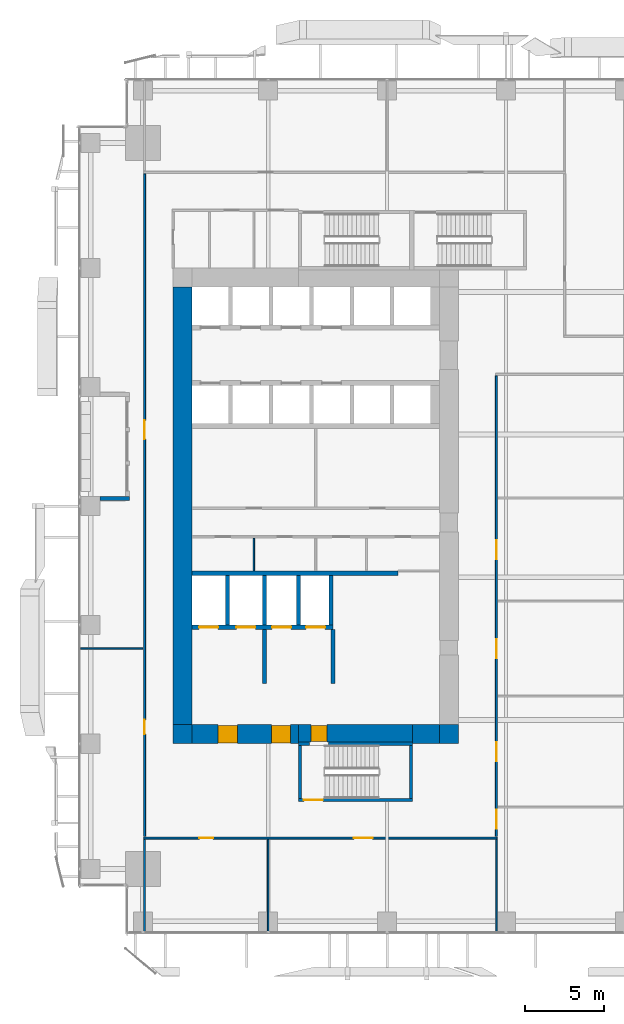
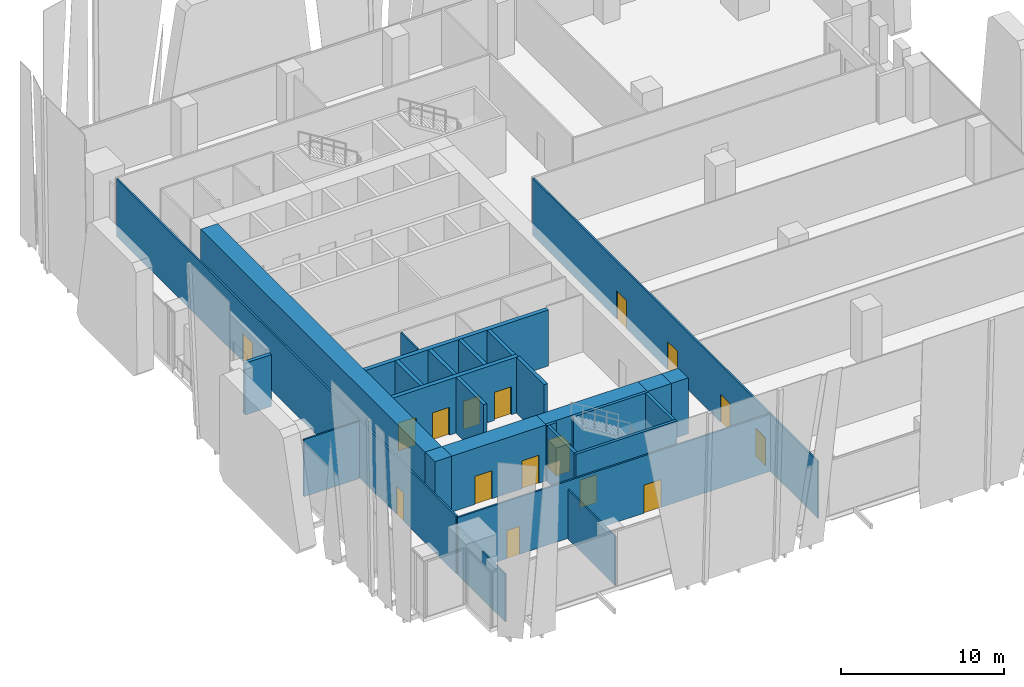
# One storey, part 29 of 37: 28 walls, 16 doors, 16 openings.
"""IFC4 building model written with IfcOpenShell, lengths in metres."""

from ifc_helpers import new_model, si_unit, direction, frame, frame_2d, origin, place, context, subcontext, project, spatial, rectangle, extrude, source, transform, mapped, material, layer, layer_set, type_object, element, fill, save


model = new_model("IFC4")

# Units and contexts
model_context = context("Model", 3, precision=1e-05, world=origin(), true_north=direction((0.0, 1.0)))
body_context = subcontext(model_context, "Body", "Model", "MODEL_VIEW")
ifc_project = project(units=[si_unit("LENGTHUNIT", "METRE"), si_unit("AREAUNIT", "SQUARE_METRE"), si_unit("VOLUMEUNIT", "CUBIC_METRE"), si_unit("PLANEANGLEUNIT", "RADIAN"), si_unit("MASSUNIT", "GRAM", prefix="KILO")], contexts=[model_context])

# Site, building, storey
site_placement = place(None, origin())
site = spatial("IfcSite", under=ifc_project, at=site_placement, CompositionType="ELEMENT")
building_placement = place(site_placement, origin())
building = spatial("IfcBuilding", under=site, at=building_placement, Name="Khomas Fold Tower", CompositionType="ELEMENT")
storey_placement = place(building_placement, frame((0.0, 0.0, 60.0)))
storey = spatial("IfcBuildingStorey", under=building, at=storey_placement, Name="L12", CompositionType="ELEMENT", Elevation=60.0)

# Wall, openings, doors
ifc_material_1 = material(Name="Concrete C70/85", Category="concrete")
ifc_layer_1 = layer(ifc_material_1, 1.199951171875)
ifc_layer_set_1 = layer_set([ifc_layer_1], Name="Concrete C70/85")
wall_type_1 = type_object("IfcWallType", Name="Core wall 1200", PredefinedType="SHEAR", material=ifc_layer_set_1)
shared_shape_1 = source(origin(), body_context, "Body", "SweptSolid", [
    extrude(rectangle(XDim=6.699951171875, YDim=1.199951171875, at=frame_2d((3.35009765625, 0.0))), origin(), (0.0, 0.0, 1.0), 4.199951171875),
])
wall_1_placement = place(storey_placement, frame((7.199951171875, 12.60009765625, 0.0), z_axis=(0.0, 0.0, 1.0), x_axis=(1.0, 0.0, 0.0)))
wall_1 = element("IfcWall", 1, at=wall_1_placement, inside=storey, type_object=wall_type_1, Name="Core wall CW-L-S-B2", PredefinedType="SHEAR", context=body_context, shape_type="MappedRepresentation", body=[
    mapped(shared_shape_1, transform((0.0, 0.0, 0.0))),
])
shared_shape_2 = source(origin(), body_context, "Body", "SweptSolid", [
    extrude(rectangle(XDim=1.199951171875, YDim=2.10009765625, at=frame_2d((0.60009765625, 1.050048828125))), frame((0.0, 0.60986328125, 0.0), z_axis=(0.0, -1.0, 0.0), x_axis=(1.0, 0.0, 0.0)), (0.0, 0.0, 1.0), 1.219970703125),
])
opening_1_placement = place(wall_1_placement, frame((5.0, 0.0, 0.0)))
opening_1 = element("IfcOpeningElement", 2, at=opening_1_placement, cuts=wall_1, Name="Opening 0009", PredefinedType="OPENING", context=body_context, shape_type="MappedRepresentation", body=[
    mapped(shared_shape_2, transform((0.0, 0.0, 0.0))),
])
opening_2_placement = place(wall_1_placement, frame((1.64990234375, 0.0, 0.0)))
opening_2 = element("IfcOpeningElement", 3, at=opening_2_placement, cuts=wall_1, Name="Opening 0009", PredefinedType="OPENING", context=body_context, shape_type="MappedRepresentation", body=[
    mapped(shared_shape_2, transform((0.0, 0.0, 0.0))),
])
ifc_material_2 = material(Name="Steel door leaf", Category="steel")
door_type_1 = type_object("IfcDoorType", Name="Lobby door 1200x2100 right-hand", OperationType="SINGLE_SWING_RIGHT", PredefinedType="DOOR", material=ifc_material_2)
shared_shape_3 = source(origin(), body_context, "Body", "SweptSolid", [
    extrude(rectangle(XDim=1.199951171875, YDim=2.10009765625, at=frame_2d((0.60009765625, 1.050048828125))), frame((0.0, 0.5498046875, 0.0), z_axis=(0.0, -1.0, 0.0), x_axis=(1.0, 0.0, 0.0)), (0.0, 0.0, 1.0), 1.099853515625),
])
door_1_placement = place(opening_1_placement, origin())
door_1 = element("IfcDoor", 4, at=door_1_placement, inside=storey, type_object=door_type_1, Name="Lobby door", OperationType="SINGLE_SWING_RIGHT", OverallHeight=2.10009765625, OverallWidth=1.199951171875, PredefinedType="DOOR", context=body_context, shape_type="MappedRepresentation", body=[
    mapped(shared_shape_3, transform((0.0, 0.0, 0.0))),
])
fill(opening_1, door_1)
door_2_placement = place(opening_2_placement, origin())
door_2 = element("IfcDoor", 5, at=door_2_placement, inside=storey, type_object=door_type_1, Name="Lobby door", OperationType="SINGLE_SWING_RIGHT", OverallHeight=2.10009765625, OverallWidth=1.199951171875, PredefinedType="DOOR", context=body_context, shape_type="MappedRepresentation", body=[
    mapped(shared_shape_3, transform((0.0, 0.0, 0.0))),
])
fill(opening_2, door_2)

# Walls
ifc_material_3 = material(Name="Concrete C70/85", Category="concrete")
ifc_layer_2 = layer(ifc_material_3, 1.199951171875)
ifc_layer_set_2 = layer_set([ifc_layer_2], Name="Concrete C70/85")
wall_type_2 = type_object("IfcWallType", Name="Core corner wall 1200", PredefinedType="SHEAR", material=ifc_layer_set_2)
shared_shape_4 = source(origin(), body_context, "Body", "SweptSolid", [
    extrude(rectangle(XDim=1.199951171875, YDim=1.199951171875, at=frame_2d((0.60009765625, 0.0))), origin(), (0.0, 0.0, 1.0), 4.199951171875),
])
for number, where, z_axis, x_axis, name in (
    (6, (22.800048828125, 12.60009765625, 0.0), (0.0, 0.0, 1.0), (1.0, 0.0, 0.0), "Core wall CW-L-SE-B2"),
    (7, (6.0, 12.60009765625, 0.0), (0.0, 0.0, 1.0), (1.0, 0.0, 0.0), "Core wall CW-L-SW-B2"),
):
    element("IfcWall", number, at=place(storey_placement, frame(where, z_axis=z_axis, x_axis=x_axis)), inside=storey, type_object=wall_type_2, Name=name, PredefinedType="SHEAR", context=body_context, shape_type="MappedRepresentation", body=[
        mapped(shared_shape_4, transform((0.0, 0.0, 0.0))),
    ])

# Wall, opening, door
ifc_material_4 = material(Name="Concrete C70/85", Category="concrete")
ifc_layer_3 = layer(ifc_material_4, 1.10009765625)
ifc_layer_set_3 = layer_set([ifc_layer_3], Name="Concrete C70/85")
wall_type_3 = type_object("IfcWallType", Name="Core wall 1100", PredefinedType="SHEAR", material=ifc_layer_set_3)
shared_shape_5 = source(origin(), body_context, "Body", "SweptSolid", [
    extrude(rectangle(XDim=7.2001953125, YDim=1.10009765625, at=frame_2d((3.60009765625, 0.0))), origin(), (0.0, 0.0, 1.0), 4.199951171875),
])
wall_2_placement = place(storey_placement, frame((13.89990234375, 12.64990234375, 0.0), z_axis=(0.0, 0.0, 1.0), x_axis=(1.0, 0.0, 0.0)))
wall_2 = element("IfcWall", 8, at=wall_2_placement, inside=storey, type_object=wall_type_3, Name="Core wall CW-L-S-B2-1", PredefinedType="SHEAR", context=body_context, shape_type="MappedRepresentation", body=[
    mapped(shared_shape_5, transform((0.0, 0.0, 0.0))),
])
shared_shape_6 = source(origin(), body_context, "Body", "SweptSolid", [
    extrude(rectangle(XDim=1.0, YDim=2.10009765625, at=frame_2d((0.5, 1.050048828125))), frame((0.0, 0.56005859375, 0.0), z_axis=(0.0, -1.0, 0.0), x_axis=(1.0, 0.0, 0.0)), (0.0, 0.0, 1.0), 1.1201171875),
])
opening_3_placement = place(wall_2_placement, frame((0.800048828125, 0.0, 0.0)))
opening_3 = element("IfcOpeningElement", 9, at=opening_3_placement, cuts=wall_2, Name="Opening 0010", PredefinedType="OPENING", context=body_context, shape_type="MappedRepresentation", body=[
    mapped(shared_shape_6, transform((0.0, 0.0, 0.0))),
])
ifc_material_5 = material(Name="Steel door leaf", Category="steel")
door_type_2 = type_object("IfcDoorType", Name="Stair door 1000x2100 right-hand", OperationType="SINGLE_SWING_RIGHT", PredefinedType="DOOR", material=ifc_material_5)
shared_shape_7 = source(origin(), body_context, "Body", "SweptSolid", [
    extrude(rectangle(XDim=1.0, YDim=2.10009765625, at=frame_2d((0.5, 1.050048828125))), frame((0.0, 0.5, 0.0), z_axis=(0.0, -1.0, 0.0), x_axis=(1.0, 0.0, 0.0)), (0.0, 0.0, 1.0), 1.0),
])
door_3_placement = place(opening_3_placement, origin())
door_3 = element("IfcDoor", 10, at=door_3_placement, inside=storey, type_object=door_type_2, Name="Stair door", OperationType="SINGLE_SWING_RIGHT", OverallHeight=2.10009765625, OverallWidth=1.0, PredefinedType="DOOR", context=body_context, shape_type="MappedRepresentation", body=[
    mapped(shared_shape_7, transform((0.0, 0.0, 0.0))),
])
fill(opening_3, door_3)

# Walls
shared_shape_8 = source(origin(), body_context, "Body", "SweptSolid", [
    extrude(rectangle(XDim=1.699951171875, YDim=1.199951171875, at=frame_2d((0.85009765625, 0.0))), origin(), (0.0, 0.0, 1.0), 4.199951171875),
])
wall_3_placement = place(storey_placement, frame((21.10009765625, 12.60009765625, 0.0), z_axis=(0.0, 0.0, 1.0), x_axis=(1.0, 0.0, 0.0)))
element("IfcWall", 11, at=wall_3_placement, inside=storey, type_object=wall_type_1, Name="Core wall CW-L-S-B2-2", PredefinedType="SHEAR", context=body_context, shape_type="MappedRepresentation", body=[
    mapped(shared_shape_8, transform((0.0, 0.0, 0.0))),
])
shared_shape_9 = source(origin(), body_context, "Body", "SweptSolid", [
    extrude(rectangle(XDim=27.60009765625, YDim=1.199951171875, at=frame_2d((13.800048828125, 0.0))), origin(), (0.0, 0.0, 1.0), 4.199951171875),
])
wall_4_placement = place(storey_placement, frame((6.60009765625, 13.199951171875, 0.0), z_axis=(0.0, 0.0, 1.0), x_axis=(0.0, 1.0, 0.0)))
element("IfcWall", 12, at=wall_4_placement, inside=storey, type_object=wall_type_1, Name="Core wall CW-L-W-B2", PredefinedType="SHEAR", context=body_context, shape_type="MappedRepresentation", body=[
    mapped(shared_shape_9, transform((0.0, 0.0, 0.0))),
])
ifc_material_6 = material(Name="Concrete C50/60", Category="concrete")
ifc_layer_4 = layer(ifc_material_6, 0.199951171875)
ifc_layer_set_4 = layer_set([ifc_layer_4], Name="Concrete C50/60")
wall_type_4 = type_object("IfcWallType", Name="Stair wall 200", PredefinedType="SHEAR", material=ifc_layer_set_4)
shared_shape_10 = source(origin(), body_context, "Body", "SweptSolid", [
    extrude(rectangle(XDim=0.7001953125, YDim=0.199951171875, at=frame_2d((0.35009765625, 0.0))), origin(), (0.0, 0.0, 1.0), 4.199951171875),
])
wall_5_placement = place(storey_placement, frame((13.89990234375, 12.0, 0.0), z_axis=(0.0, 0.0, 1.0), x_axis=(1.0, 0.0, 0.0)))
element("IfcWall", 13, at=wall_5_placement, inside=storey, type_object=wall_type_4, Name="Stair wall SW-ST2-N", PredefinedType="SHEAR", context=body_context, shape_type="MappedRepresentation", body=[
    mapped(shared_shape_10, transform((0.0, 0.0, 0.0))),
])
shared_shape_11 = source(origin(), body_context, "Body", "SweptSolid", [
    extrude(rectangle(XDim=5.300048828125, YDim=0.199951171875, at=frame_2d((2.64990234375, 0.0))), origin(), (0.0, 0.0, 1.0), 4.199951171875),
])
wall_6_placement = place(storey_placement, frame((15.800048828125, 12.0, 0.0), z_axis=(0.0, 0.0, 1.0), x_axis=(1.0, 0.0, 0.0)))
element("IfcWall", 14, at=wall_6_placement, inside=storey, type_object=wall_type_4, Name="Stair wall SW-ST2-NB", PredefinedType="SHEAR", context=body_context, shape_type="MappedRepresentation", body=[
    mapped(shared_shape_11, transform((0.0, 0.0, 0.0))),
])

# Wall, opening, door
shared_shape_12 = source(origin(), body_context, "Body", "SweptSolid", [
    extrude(rectangle(XDim=7.2001953125, YDim=0.199951171875, at=frame_2d((3.60009765625, 0.0))), origin(), (0.0, 0.0, 1.0), 4.199951171875),
])
wall_7_placement = place(storey_placement, frame((13.89990234375, 8.449951171875, 0.0), z_axis=(0.0, 0.0, 1.0), x_axis=(1.0, 0.0, 0.0)))
wall_7 = element("IfcWall", 15, at=wall_7_placement, inside=storey, type_object=wall_type_4, Name="Stair wall SW-ST2-S", PredefinedType="SHEAR", context=body_context, shape_type="MappedRepresentation", body=[
    mapped(shared_shape_12, transform((0.0, 0.0, 0.0))),
])
shared_shape_13 = source(origin(), body_context, "Body", "SweptSolid", [
    extrude(rectangle(XDim=1.199951171875, YDim=2.10009765625, at=frame_2d((0.60009765625, 1.050048828125))), frame((0.0, 0.10986328125, 0.0), z_axis=(0.0, -1.0, 0.0), x_axis=(1.0, 0.0, 0.0)), (0.0, 0.0, 1.0), 0.219970703125),
])
opening_4_placement = place(wall_7_placement, frame((0.35009765625, 0.0, 0.0)))
opening_4 = element("IfcOpeningElement", 16, at=opening_4_placement, cuts=wall_7, Name="Opening SD-ST2", PredefinedType="OPENING", context=body_context, shape_type="MappedRepresentation", body=[
    mapped(shared_shape_13, transform((0.0, 0.0, 0.0))),
])
ifc_material_7 = material(Name="Steel door leaf", Category="steel")
door_type_3 = type_object("IfcDoorType", Name="Stair door 1200x2100 right-hand", OperationType="SINGLE_SWING_RIGHT", PredefinedType="DOOR", material=ifc_material_7)
shared_shape_14 = source(origin(), body_context, "Body", "SweptSolid", [
    extrude(rectangle(XDim=1.199951171875, YDim=2.10009765625, at=frame_2d((0.60009765625, 1.050048828125))), frame((0.0, 0.02490234375, 0.0), z_axis=(0.0, -1.0, 0.0), x_axis=(1.0, 0.0, 0.0)), (0.0, 0.0, 1.0), 0.050048828125),
])
door_4_placement = place(opening_4_placement, origin())
door_4 = element("IfcDoor", 17, at=door_4_placement, inside=storey, type_object=door_type_3, Name="Stair door", OperationType="SINGLE_SWING_RIGHT", OverallHeight=2.10009765625, OverallWidth=1.199951171875, PredefinedType="DOOR", context=body_context, shape_type="MappedRepresentation", body=[
    mapped(shared_shape_14, transform((0.0, 0.0, 0.0))),
])
fill(opening_4, door_4)

# Walls
shared_shape_15 = source(origin(), body_context, "Body", "SweptSolid", [
    extrude(rectangle(XDim=3.349853515625, YDim=0.199951171875, at=frame_2d((1.6748046875, 0.0))), origin(), (0.0, 0.0, 1.0), 4.199951171875),
])
for number, where, z_axis, x_axis, name in (
    (18, (21.0, 8.550048828125, 0.0), (0.0, 0.0, 1.0), (0.0, 1.0, 0.0), "Stair wall SW-ST2-E"),
    (19, (14.0, 8.550048828125, 0.0), (0.0, 0.0, 1.0), (0.0, 1.0, 0.0), "Stair wall SW-ST2-W"),
):
    element("IfcWall", number, at=place(storey_placement, frame(where, z_axis=z_axis, x_axis=x_axis)), inside=storey, type_object=wall_type_4, Name=name, PredefinedType="SHEAR", context=body_context, shape_type="MappedRepresentation", body=[
        mapped(shared_shape_15, transform((0.0, 0.0, 0.0))),
    ])
ifc_material_8 = material(Name="Concrete C50/60", Category="concrete")
ifc_layer_5 = layer(ifc_material_8, 0.300048828125)
ifc_layer_set_5 = layer_set([ifc_layer_5], Name="Concrete C50/60")
wall_type_5 = type_object("IfcWallType", Name="Shaft wall 300", PredefinedType="STANDARD", material=ifc_layer_set_5)
shared_shape_16 = source(origin(), body_context, "Body", "SweptSolid", [
    extrude(rectangle(XDim=13.0, YDim=0.300048828125, at=frame_2d((6.5, 0.0))), origin(), (0.0, 0.0, 1.0), 4.199951171875),
])
wall_8_placement = place(storey_placement, frame((7.199951171875, 22.75, 0.0), z_axis=(0.0, 0.0, 1.0), x_axis=(1.0, 0.0, 0.0)))
element("IfcWall", 20, at=wall_8_placement, inside=storey, type_object=wall_type_5, Name="Core wall SW-FS-B", PredefinedType="STANDARD", context=body_context, shape_type="MappedRepresentation", body=[
    mapped(shared_shape_16, transform((0.0, 0.0, 0.0))),
])

# Wall, openings, doors
shared_shape_17 = source(origin(), body_context, "Body", "SweptSolid", [
    extrude(rectangle(XDim=8.875, YDim=0.300048828125, at=frame_2d((4.4375, 0.0))), origin(), (0.0, 0.0, 1.0), 4.199951171875),
])
wall_9_placement = place(storey_placement, frame((7.199951171875, 19.35009765625, 0.0), z_axis=(0.0, 0.0, 1.0), x_axis=(1.0, 0.0, 0.0)))
wall_9 = element("IfcWall", 21, at=wall_9_placement, inside=storey, type_object=wall_type_5, Name="Core wall SW-FS-F", PredefinedType="STANDARD", context=body_context, shape_type="MappedRepresentation", body=[
    mapped(shared_shape_17, transform((0.0, 0.0, 0.0))),
])
shared_shape_18 = source(origin(), body_context, "Body", "SweptSolid", [
    extrude(rectangle(XDim=1.199951171875, YDim=2.10009765625, at=frame_2d((0.60009765625, 1.050048828125))), frame((0.0, 0.159912109375, 0.0), z_axis=(0.0, -1.0, 0.0), x_axis=(1.0, 0.0, 0.0)), (0.0, 0.0, 1.0), 0.320068359375),
])
opening_5_placement = place(wall_9_placement, frame((0.449951171875, 0.0, 0.0)))
opening_5 = element("IfcOpeningElement", 22, at=opening_5_placement, cuts=wall_9, Name="Opening LD-SV1", PredefinedType="OPENING", context=body_context, shape_type="MappedRepresentation", body=[
    mapped(shared_shape_18, transform((0.0, 0.0, 0.0))),
])
opening_6_placement = place(wall_9_placement, frame((2.800048828125, 0.0, 0.0)))
opening_6 = element("IfcOpeningElement", 23, at=opening_6_placement, cuts=wall_9, Name="Opening LD-SV2", PredefinedType="OPENING", context=body_context, shape_type="MappedRepresentation", body=[
    mapped(shared_shape_18, transform((0.0, 0.0, 0.0))),
])
opening_7_placement = place(wall_9_placement, frame((5.050048828125, 0.0, 0.0)))
opening_7 = element("IfcOpeningElement", 24, at=opening_7_placement, cuts=wall_9, Name="Opening LD-FF1", PredefinedType="OPENING", context=body_context, shape_type="MappedRepresentation", body=[
    mapped(shared_shape_18, transform((0.0, 0.0, 0.0))),
])
opening_8_placement = place(wall_9_placement, frame((7.199951171875, 0.0, 0.0)))
opening_8 = element("IfcOpeningElement", 25, at=opening_8_placement, cuts=wall_9, Name="Opening LD-FF2", PredefinedType="OPENING", context=body_context, shape_type="MappedRepresentation", body=[
    mapped(shared_shape_18, transform((0.0, 0.0, 0.0))),
])
ifc_material_9 = material(Name="Steel door leaf", Category="steel")
door_type_4 = type_object("IfcDoorType", Name="Landing door 1200x2100", OperationType="DOUBLE_DOOR_SLIDING", PredefinedType="DOOR", material=ifc_material_9)
door_5_placement = place(opening_5_placement, origin())
door_5 = element("IfcDoor", 26, at=door_5_placement, inside=storey, type_object=door_type_4, Name="Lift landing door", OperationType="DOUBLE_DOOR_SLIDING", OverallHeight=2.10009765625, OverallWidth=1.199951171875, PredefinedType="DOOR", context=body_context, shape_type="MappedRepresentation", body=[
    mapped(shared_shape_14, transform((0.0, 0.0, 0.0))),
])
fill(opening_5, door_5)
door_6_placement = place(opening_6_placement, origin())
door_6 = element("IfcDoor", 27, at=door_6_placement, inside=storey, type_object=door_type_4, Name="Lift landing door", OperationType="DOUBLE_DOOR_SLIDING", OverallHeight=2.10009765625, OverallWidth=1.199951171875, PredefinedType="DOOR", context=body_context, shape_type="MappedRepresentation", body=[
    mapped(shared_shape_14, transform((0.0, 0.0, 0.0))),
])
fill(opening_6, door_6)
door_7_placement = place(opening_7_placement, origin())
door_7 = element("IfcDoor", 28, at=door_7_placement, inside=storey, type_object=door_type_4, Name="Lift landing door", OperationType="DOUBLE_DOOR_SLIDING", OverallHeight=2.10009765625, OverallWidth=1.199951171875, PredefinedType="DOOR", context=body_context, shape_type="MappedRepresentation", body=[
    mapped(shared_shape_14, transform((0.0, 0.0, 0.0))),
])
fill(opening_7, door_7)
door_8_placement = place(opening_8_placement, origin())
door_8 = element("IfcDoor", 29, at=door_8_placement, inside=storey, type_object=door_type_4, Name="Lift landing door", OperationType="DOUBLE_DOOR_SLIDING", OverallHeight=2.10009765625, OverallWidth=1.199951171875, PredefinedType="DOOR", context=body_context, shape_type="MappedRepresentation", body=[
    mapped(shared_shape_14, transform((0.0, 0.0, 0.0))),
])
fill(opening_8, door_8)

# Walls
ifc_material_10 = material(Name="Concrete C50/60", Category="concrete")
ifc_layer_6 = layer(ifc_material_10, 0.25)
ifc_layer_set_6 = layer_set([ifc_layer_6], Name="Concrete C50/60")
wall_type_6 = type_object("IfcWallType", Name="Shaft wall 250", PredefinedType="STANDARD", material=ifc_layer_set_6)
shared_shape_19 = source(origin(), body_context, "Body", "SweptSolid", [
    extrude(rectangle(XDim=3.10009765625, YDim=0.25, at=frame_2d((1.550048828125, 0.0))), origin(), (0.0, 0.0, 1.0), 4.199951171875),
])
for number, where, z_axis, x_axis, name in (
    (30, (9.425048828125, 19.5, 0.0), (0.0, 0.0, 1.0), (0.0, 1.0, 0.0), "Core wall SW-FS-P1"),
    (31, (11.77490234375, 19.5, 0.0), (0.0, 0.0, 1.0), (0.0, 1.0, 0.0), "Core wall SW-FS-P2"),
    (32, (13.925048828125, 19.5, 0.0), (0.0, 0.0, 1.0), (0.0, 1.0, 0.0), "Core wall SW-FS-P3"),
    (33, (15.949951171875, 19.5, 0.0), (0.0, 0.0, 1.0), (0.0, 1.0, 0.0), "Core wall SW-FS-PE"),
):
    element("IfcWall", number, at=place(storey_placement, frame(where, z_axis=z_axis, x_axis=x_axis)), inside=storey, type_object=wall_type_6, Name=name, PredefinedType="STANDARD", context=body_context, shape_type="MappedRepresentation", body=[
        mapped(shared_shape_19, transform((0.0, 0.0, 0.0))),
    ])
ifc_material_11 = material(Name="Concrete C50/60", Category="concrete")
ifc_layer_7 = layer(ifc_material_11, 0.25)
ifc_layer_set_7 = layer_set([ifc_layer_7], Name="Concrete C50/60")
wall_type_7 = type_object("IfcWallType", Name="Lobby wall 250", PredefinedType="STANDARD", material=ifc_layer_set_7)
shared_shape_20 = source(origin(), body_context, "Body", "SweptSolid", [
    extrude(rectangle(XDim=3.39990234375, YDim=0.25, at=frame_2d((1.699951171875, 0.0))), origin(), (0.0, 0.0, 1.0), 4.199951171875),
])
for number, where, z_axis, x_axis, name in (
    (34, (16.074951171875, 15.800048828125, 0.0), (0.0, 0.0, 1.0), (0.0, 1.0, 0.0), "Core wall SW-FS-LOB-E"),
    (35, (11.77490234375, 15.800048828125, 0.0), (0.0, 0.0, 1.0), (0.0, 1.0, 0.0), "Core wall SW-FS-SEP"),
):
    element("IfcWall", number, at=place(storey_placement, frame(where, z_axis=z_axis, x_axis=x_axis)), inside=storey, type_object=wall_type_7, Name=name, PredefinedType="STANDARD", context=body_context, shape_type="MappedRepresentation", body=[
        mapped(shared_shape_20, transform((0.0, 0.0, 0.0))),
    ])
ifc_material_12 = material(Name="Natural stone", Category="masonry")
ifc_layer_8 = layer(ifc_material_12, 0.0400390625)
ifc_material_13 = material(Name="Mineral wool insulation", Category="insulation")
ifc_layer_9 = layer(ifc_material_13, 0.10009765625)
ifc_material_14 = material(Name="Masonry", Category="masonry")
ifc_layer_10 = layer(ifc_material_14, 0.110107421875)
ifc_layer_set_8 = layer_set([ifc_layer_8, ifc_layer_9, ifc_layer_10], Name="Stone-faced insulated masonry")
wall_type_8 = type_object("IfcWallType", Name="BL-Balcony wall", PredefinedType="SOLIDWALL", material=ifc_layer_set_8)
shared_shape_21 = source(origin(), body_context, "Body", "SweptSolid", [
    extrude(rectangle(XDim=1.85009765625, YDim=0.25, at=frame_2d((0.925048828125, 0.0))), origin(), (0.0, 0.0, 1.0), 3.89990234375),
])
wall_10_placement = place(storey_placement, frame((1.39990234375, 27.47509765625, 0.0), z_axis=(0.0, 0.0, 1.0), x_axis=(1.0, 0.0, 0.0)))
element("IfcWall", 36, at=wall_10_placement, inside=storey, type_object=wall_type_8, Name="Balcony return wall BAL-L12-W3-lo", PredefinedType="SOLIDWALL", context=body_context, shape_type="MappedRepresentation", body=[
    mapped(shared_shape_21, transform((0.0, 0.0, 0.0))),
])
ifc_material_15 = material(Name="Plasterboard partition")
ifc_layer_11 = layer(ifc_material_15, 0.10009765625)
ifc_layer_set_9 = layer_set([ifc_layer_11], Name="Plasterboard partition")
wall_type_9 = type_object("IfcWallType", Name="Partition PW1 100", PredefinedType="PARTITIONING", material=ifc_layer_set_9)
shared_shape_22 = source(origin(), body_context, "Body", "SweptSolid", [
    extrude(rectangle(XDim=5.800048828125, YDim=0.10009765625, at=frame_2d((2.89990234375, 0.0))), origin(), (0.0, 0.0, 1.0), 3.60009765625),
])
wall_11_placement = place(storey_placement, frame((4.199951171875, 0.14990234375, 0.0), z_axis=(0.0, 0.0, 1.0), x_axis=(0.0, 1.0, 0.0)))
element("IfcWall", 37, at=wall_11_placement, inside=storey, type_object=wall_type_9, Name="Partition", PredefinedType="PARTITIONING", context=body_context, shape_type="MappedRepresentation", body=[
    mapped(shared_shape_22, transform((0.0, 0.0, 0.0))),
])
shared_shape_23 = source(origin(), body_context, "Body", "SweptSolid", [
    extrude(rectangle(XDim=5.800048828125, YDim=0.10009765625, at=frame_2d((2.89990234375, 0.0))), origin(), (0.0, 0.0, 1.0), 3.699951171875),
])
wall_12_placement = place(storey_placement, frame((12.0, 0.14990234375, 0.0), z_axis=(0.0, 0.0, 1.0), x_axis=(0.0, 1.0, 0.0)))
element("IfcWall", 38, at=wall_12_placement, inside=storey, type_object=wall_type_9, Name="Partition", PredefinedType="PARTITIONING", context=body_context, shape_type="MappedRepresentation", body=[
    mapped(shared_shape_23, transform((0.0, 0.0, 0.0))),
])
shared_shape_24 = source(origin(), body_context, "Body", "SweptSolid", [
    extrude(rectangle(XDim=3.9501953125, YDim=0.10009765625, at=frame_2d((1.97509765625, 0.0))), origin(), (0.0, 0.0, 1.0), 4.300048828125),
])
wall_13_placement = place(storey_placement, frame((0.14990234375, 18.0, 0.0), z_axis=(0.0, 0.0, 1.0), x_axis=(1.0, 0.0, 0.0)))
element("IfcWall", 39, at=wall_13_placement, inside=storey, type_object=wall_type_9, Name="Partition", PredefinedType="PARTITIONING", context=body_context, shape_type="MappedRepresentation", body=[
    mapped(shared_shape_24, transform((0.0, 0.0, 0.0))),
])
shared_shape_25 = source(origin(), body_context, "Body", "SweptSolid", [
    extrude(rectangle(XDim=5.800048828125, YDim=0.10009765625, at=frame_2d((2.89990234375, 0.0))), origin(), (0.0, 0.0, 1.0), 4.300048828125),
])
wall_14_placement = place(storey_placement, frame((26.39990234375, 0.14990234375, 0.0), z_axis=(0.0, 0.0, 1.0), x_axis=(0.0, 1.0, 0.0)))
element("IfcWall", 40, at=wall_14_placement, inside=storey, type_object=wall_type_9, Name="Partition", PredefinedType="PARTITIONING", context=body_context, shape_type="MappedRepresentation", body=[
    mapped(shared_shape_25, transform((0.0, 0.0, 0.0))),
])

# Wall, openings, doors
ifc_material_16 = material(Name="Plasterboard partition")
ifc_layer_12 = layer(ifc_material_16, 0.125)
ifc_layer_set_10 = layer_set([ifc_layer_12], Name="Plasterboard partition")
wall_type_10 = type_object("IfcWallType", Name="Partition PW2 125", PredefinedType="PARTITIONING", material=ifc_layer_set_10)
shared_shape_26 = source(origin(), body_context, "Body", "SweptSolid", [
    extrude(rectangle(XDim=22.300048828125, YDim=0.125, at=frame_2d((11.14990234375, 0.0))), origin(), (0.0, 0.0, 1.0), 4.300048828125),
])
wall_15_placement = place(storey_placement, frame((4.14990234375, 6.050048828125, 0.0), z_axis=(0.0, 0.0, 1.0), x_axis=(1.0, 0.0, 0.0)))
wall_15 = element("IfcWall", 41, at=wall_15_placement, inside=storey, type_object=wall_type_10, Name="Partition", PredefinedType="PARTITIONING", context=body_context, shape_type="MappedRepresentation", body=[
    mapped(shared_shape_26, transform((0.0, 0.0, 0.0))),
])
shared_shape_27 = source(origin(), body_context, "Body", "SweptSolid", [
    extrude(rectangle(XDim=0.89990234375, YDim=2.10009765625, at=frame_2d((0.449951171875, 1.050048828125))), frame((0.0, 0.072509765625, 0.0), z_axis=(0.0, -1.0, 0.0), x_axis=(1.0, 0.0, 0.0)), (0.0, 0.0, 1.0), 0.14501953125),
])
opening_9_placement = place(wall_15_placement, frame((3.5, 0.0, 0.0)))
opening_9 = element("IfcOpeningElement", 42, at=opening_9_placement, cuts=wall_15, Name="Opening 0007", PredefinedType="OPENING", context=body_context, shape_type="MappedRepresentation", body=[
    mapped(shared_shape_27, transform((0.0, 0.0, 0.0))),
])
shared_shape_28 = source(origin(), body_context, "Body", "SweptSolid", [
    extrude(rectangle(XDim=1.199951171875, YDim=2.10009765625, at=frame_2d((0.60009765625, 1.050048828125))), frame((0.0, 0.072509765625, 0.0), z_axis=(0.0, -1.0, 0.0), x_axis=(1.0, 0.0, 0.0)), (0.0, 0.0, 1.0), 0.14501953125),
])
opening_10_placement = place(wall_15_placement, frame((13.25, 0.0, 0.0)))
opening_10 = element("IfcOpeningElement", 43, at=opening_10_placement, cuts=wall_15, Name="Opening 0001", PredefinedType="OPENING", context=body_context, shape_type="MappedRepresentation", body=[
    mapped(shared_shape_28, transform((0.0, 0.0, 0.0))),
])
ifc_material_17 = material(Name="Timber door leaf", Category="wood")
door_type_5 = type_object("IfcDoorType", Name="Door 900x2100 left-hand", OperationType="SINGLE_SWING_LEFT", PredefinedType="DOOR", material=ifc_material_17)
shared_shape_29 = source(origin(), body_context, "Body", "SweptSolid", [
    extrude(rectangle(XDim=0.89990234375, YDim=2.10009765625, at=frame_2d((0.449951171875, 1.050048828125))), frame((0.0, 0.02490234375, 0.0), z_axis=(0.0, -1.0, 0.0), x_axis=(1.0, 0.0, 0.0)), (0.0, 0.0, 1.0), 0.050048828125),
])
door_9_placement = place(opening_9_placement, origin())
door_9 = element("IfcDoor", 44, at=door_9_placement, inside=storey, type_object=door_type_5, Name="Door", OperationType="SINGLE_SWING_LEFT", OverallHeight=2.10009765625, OverallWidth=0.89990234375, PredefinedType="DOOR", context=body_context, shape_type="MappedRepresentation", body=[
    mapped(shared_shape_29, transform((0.0, 0.0, 0.0))),
])
fill(opening_9, door_9)
ifc_material_18 = material(Name="Timber door leaf", Category="wood")
door_type_6 = type_object("IfcDoorType", Name="Door 1200x2100 right-hand", OperationType="SINGLE_SWING_RIGHT", PredefinedType="DOOR", material=ifc_material_18)
door_10_placement = place(opening_10_placement, origin())
door_10 = element("IfcDoor", 45, at=door_10_placement, inside=storey, type_object=door_type_6, Name="Door", OperationType="SINGLE_SWING_RIGHT", OverallHeight=2.10009765625, OverallWidth=1.199951171875, PredefinedType="DOOR", context=body_context, shape_type="MappedRepresentation", body=[
    mapped(shared_shape_14, transform((0.0, 0.0, 0.0))),
])
fill(opening_10, door_10)

shared_shape_30 = source(origin(), body_context, "Body", "SweptSolid", [
    extrude(rectangle(XDim=41.800048828125, YDim=0.125, at=frame_2d((20.89990234375, 0.0))), origin(), (0.0, 0.0, 1.0), 4.300048828125),
])
wall_16_placement = place(storey_placement, frame((4.199951171875, 6.14990234375, 0.0), z_axis=(0.0, 0.0, 1.0), x_axis=(0.0, 1.0, 0.0)))
wall_16 = element("IfcWall", 46, at=wall_16_placement, inside=storey, type_object=wall_type_10, Name="Partition", PredefinedType="PARTITIONING", context=body_context, shape_type="MappedRepresentation", body=[
    mapped(shared_shape_30, transform((0.0, 0.0, 0.0))),
])
opening_11_placement = place(wall_16_placement, frame((6.449951171875, 0.0, 0.0)))
opening_11 = element("IfcOpeningElement", 47, at=opening_11_placement, cuts=wall_16, Name="Opening 0008", PredefinedType="OPENING", context=body_context, shape_type="MappedRepresentation", body=[
    mapped(shared_shape_27, transform((0.0, 0.0, 0.0))),
])
opening_12_placement = place(wall_16_placement, frame((25.050048828125, 0.0, 0.0)))
opening_12 = element("IfcOpeningElement", 48, at=opening_12_placement, cuts=wall_16, Name="Opening 0001", PredefinedType="OPENING", context=body_context, shape_type="MappedRepresentation", body=[
    mapped(shared_shape_28, transform((0.0, 0.0, 0.0))),
])
ifc_material_19 = material(Name="Timber door leaf", Category="wood")
door_type_7 = type_object("IfcDoorType", Name="Door 900x2100 right-hand", OperationType="SINGLE_SWING_RIGHT", PredefinedType="DOOR", material=ifc_material_19)
door_11_placement = place(opening_11_placement, origin())
door_11 = element("IfcDoor", 49, at=door_11_placement, inside=storey, type_object=door_type_7, Name="Door", OperationType="SINGLE_SWING_RIGHT", OverallHeight=2.10009765625, OverallWidth=0.89990234375, PredefinedType="DOOR", context=body_context, shape_type="MappedRepresentation", body=[
    mapped(shared_shape_29, transform((0.0, 0.0, 0.0))),
])
fill(opening_11, door_11)
door_12_placement = place(opening_12_placement, origin())
door_12 = element("IfcDoor", 50, at=door_12_placement, inside=storey, type_object=door_type_6, Name="Door", OperationType="SINGLE_SWING_RIGHT", OverallHeight=2.10009765625, OverallWidth=1.199951171875, PredefinedType="DOOR", context=body_context, shape_type="MappedRepresentation", body=[
    mapped(shared_shape_14, transform((0.0, 0.0, 0.0))),
])
fill(opening_12, door_12)

shared_shape_31 = source(origin(), body_context, "Body", "SweptSolid", [
    extrude(rectangle(XDim=29.050048828125, YDim=0.125, at=frame_2d((14.52490234375, 0.0))), origin(), (0.0, 0.0, 1.0), 4.300048828125),
])
wall_17_placement = place(storey_placement, frame((26.39990234375, 6.14990234375, 0.0), z_axis=(0.0, 0.0, 1.0), x_axis=(0.0, 1.0, 0.0)))
wall_17 = element("IfcWall", 51, at=wall_17_placement, inside=storey, type_object=wall_type_10, Name="Partition", PredefinedType="PARTITIONING", context=body_context, shape_type="MappedRepresentation", body=[
    mapped(shared_shape_31, transform((0.0, 0.0, 0.0))),
])
opening_13_placement = place(wall_17_placement, frame((0.5, 0.0, 0.0)))
opening_13 = element("IfcOpeningElement", 52, at=opening_13_placement, cuts=wall_17, Name="Opening 0001", PredefinedType="OPENING", context=body_context, shape_type="MappedRepresentation", body=[
    mapped(shared_shape_28, transform((0.0, 0.0, 0.0))),
])
opening_14_placement = place(wall_17_placement, frame((4.75, 0.0, 0.0)))
opening_14 = element("IfcOpeningElement", 53, at=opening_14_placement, cuts=wall_17, Name="Opening 0001", PredefinedType="OPENING", context=body_context, shape_type="MappedRepresentation", body=[
    mapped(shared_shape_28, transform((0.0, 0.0, 0.0))),
])
opening_15_placement = place(wall_17_placement, frame((11.25, 0.0, 0.0)))
opening_15 = element("IfcOpeningElement", 54, at=opening_15_placement, cuts=wall_17, Name="Opening 0013", PredefinedType="OPENING", context=body_context, shape_type="MappedRepresentation", body=[
    mapped(shared_shape_28, transform((0.0, 0.0, 0.0))),
])
opening_16_placement = place(wall_17_placement, frame((17.5, 0.0, 0.0)))
opening_16 = element("IfcOpeningElement", 55, at=opening_16_placement, cuts=wall_17, Name="Opening 0001", PredefinedType="OPENING", context=body_context, shape_type="MappedRepresentation", body=[
    mapped(shared_shape_28, transform((0.0, 0.0, 0.0))),
])
door_13_placement = place(opening_13_placement, origin())
door_13 = element("IfcDoor", 56, at=door_13_placement, inside=storey, type_object=door_type_6, Name="Door", OperationType="SINGLE_SWING_RIGHT", OverallHeight=2.10009765625, OverallWidth=1.199951171875, PredefinedType="DOOR", context=body_context, shape_type="MappedRepresentation", body=[
    mapped(shared_shape_14, transform((0.0, 0.0, 0.0))),
])
fill(opening_13, door_13)
door_14_placement = place(opening_14_placement, origin())
door_14 = element("IfcDoor", 57, at=door_14_placement, inside=storey, type_object=door_type_6, Name="Door", OperationType="SINGLE_SWING_RIGHT", OverallHeight=2.10009765625, OverallWidth=1.199951171875, PredefinedType="DOOR", context=body_context, shape_type="MappedRepresentation", body=[
    mapped(shared_shape_14, transform((0.0, 0.0, 0.0))),
])
fill(opening_14, door_14)
ifc_material_20 = material(Name="Timber door leaf", Category="wood")
door_type_8 = type_object("IfcDoorType", Name="Door 1200x2100 left-hand", OperationType="SINGLE_SWING_LEFT", PredefinedType="DOOR", material=ifc_material_20)
door_15_placement = place(opening_15_placement, origin())
door_15 = element("IfcDoor", 58, at=door_15_placement, inside=storey, type_object=door_type_8, Name="Door", OperationType="SINGLE_SWING_LEFT", OverallHeight=2.10009765625, OverallWidth=1.199951171875, PredefinedType="DOOR", context=body_context, shape_type="MappedRepresentation", body=[
    mapped(shared_shape_14, transform((0.0, 0.0, 0.0))),
])
fill(opening_15, door_15)
door_16_placement = place(opening_16_placement, origin())
door_16 = element("IfcDoor", 59, at=door_16_placement, inside=storey, type_object=door_type_6, Name="Door", OperationType="SINGLE_SWING_RIGHT", OverallHeight=2.10009765625, OverallWidth=1.199951171875, PredefinedType="DOOR", context=body_context, shape_type="MappedRepresentation", body=[
    mapped(shared_shape_14, transform((0.0, 0.0, 0.0))),
])
fill(opening_16, door_16)

# Wall
shared_shape_32 = source(origin(), body_context, "Body", "SweptSolid", [
    extrude(rectangle(XDim=2.050048828125, YDim=0.10009765625, at=frame_2d((1.02490234375, 0.0))), origin(), (0.0, 0.0, 1.0), 4.300048828125),
])
wall_18_placement = place(storey_placement, frame((11.10009765625, 22.89990234375, 0.0), z_axis=(0.0, 0.0, 1.0), x_axis=(0.0, 1.0, 0.0)))
element("IfcWall", 60, at=wall_18_placement, inside=storey, type_object=wall_type_9, Name="Partition", PredefinedType="PARTITIONING", context=body_context, shape_type="MappedRepresentation", body=[
    mapped(shared_shape_32, transform((0.0, 0.0, 0.0))),
])

save(model, "model.ifc")
